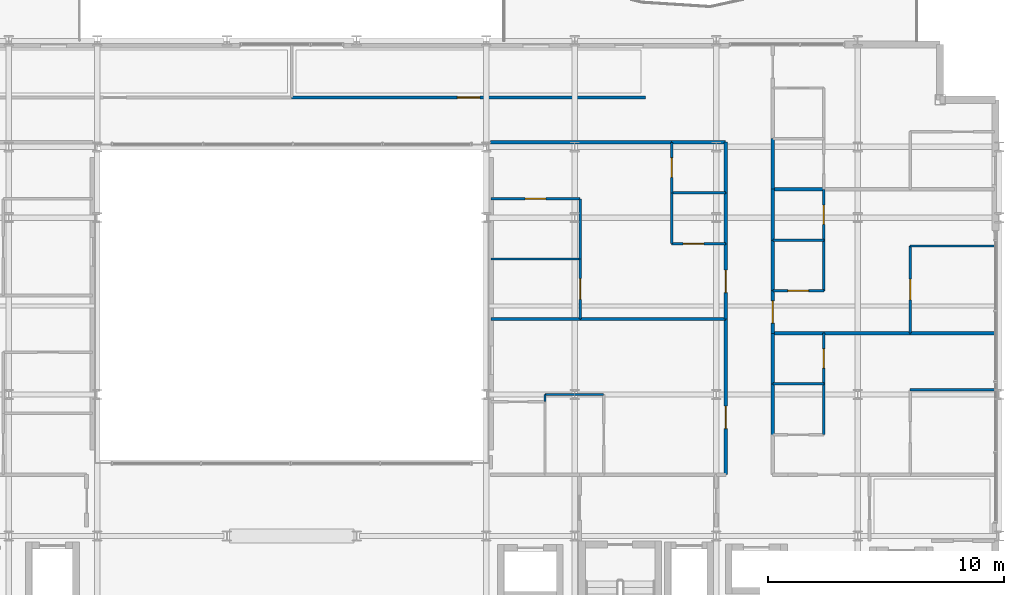
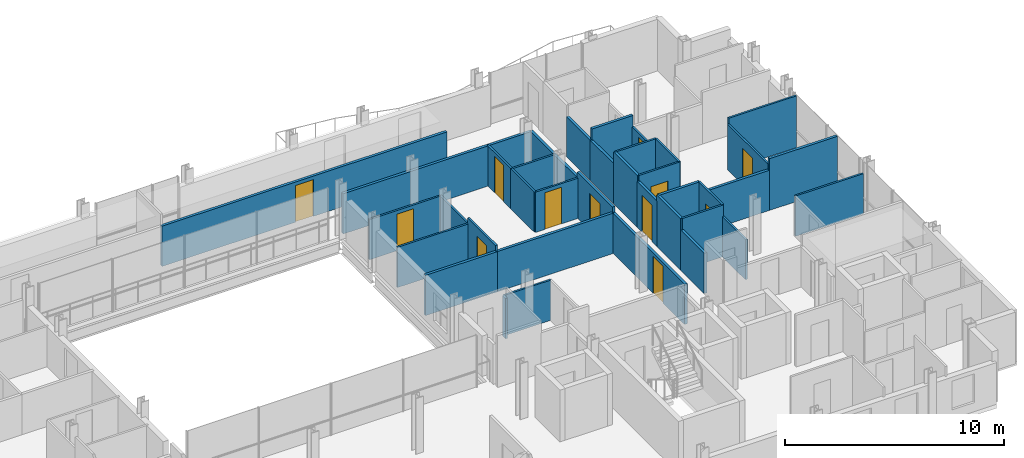
# One storey, part 36 of 41: 39 walls, 12 doors, 12 openings.
"""IFC4 building model written with IfcOpenShell, lengths in metres."""

from ifc_helpers import new_model, si_unit, direction, frame, frame_2d, origin, place, context, subcontext, project, spatial, rectangle, extrude, material, layer, layer_set, type_object, element, fill, save


model = new_model("IFC4")

# Units and contexts
model_context = context("Model", 3, precision=1e-05, world=origin(), true_north=direction((0.0, 1.0)))
body_context = subcontext(model_context, "Body", "Model", "MODEL_VIEW")
ifc_project = project(units=[si_unit("LENGTHUNIT", "METRE"), si_unit("AREAUNIT", "SQUARE_METRE"), si_unit("VOLUMEUNIT", "CUBIC_METRE"), si_unit("PLANEANGLEUNIT", "RADIAN"), si_unit("MASSUNIT", "GRAM", prefix="KILO")], contexts=[model_context])

# Site, building, storey
site_placement = place(None, origin())
site = spatial("IfcSite", under=ifc_project, at=site_placement, CompositionType="ELEMENT")
building_placement = place(site_placement, origin())
building = spatial("IfcBuilding", under=site, at=building_placement, Name="Brevholm Reach", CompositionType="ELEMENT")
storey_placement = place(building_placement, frame((0.0, 0.0, 100.39990234375)))
storey = spatial("IfcBuildingStorey", under=building, at=storey_placement, Name="L29", CompositionType="ELEMENT", Elevation=100.39990234375)

# Walls
ifc_material_1 = material(Name="Moisture-Resistant Acoustic Gypsum Stud Partition 100 mm", Category="gypsum")
ifc_layer_1 = layer(ifc_material_1, 0.10009765625)
ifc_layer_set_1 = layer_set([ifc_layer_1], Name="Moisture-Resistant Acoustic Gypsum Stud Partition 100 mm")
wall_type_1 = type_object("IfcWallType", Name="WAL-PRT-100", PredefinedType="PARTITIONING", material=ifc_layer_set_1)
wall_1_placement = place(storey_placement, frame((40.738037109375, 16.0, 0.0), z_axis=(0.0, 0.0, 1.0), x_axis=(1.0, 0.0, 0.0)))
element("IfcWall", 1, at=wall_1_placement, inside=storey, type_object=wall_type_1, Name="L29 Internal Partition 128", PredefinedType="PARTITIONING", context=body_context, shape_type="SweptSolid", body=[
    extrude(rectangle(XDim=2.487060546875, YDim=0.10009765625, at=frame_2d((1.24365234375, 0.0))), origin(), (0.0, 0.0, 1.0), 2.242919921875),
])
wall_2_placement = place(storey_placement, frame((40.738037109375, 15.7041015625, 0.0), z_axis=(0.0, 0.0, 1.0), x_axis=(0.0, 1.0, 0.0)))
element("IfcWall", 2, at=wall_2_placement, inside=storey, type_object=wall_type_1, Name="L29 Internal Partition 129", PredefinedType="PARTITIONING", context=body_context, shape_type="SweptSolid", body=[
    extrude(rectangle(XDim=0.2958984375, YDim=0.10009765625, at=frame_2d((0.14794921875, 0.0))), origin(), (0.0, 0.0, 1.0), 2.242919921875),
])
wall_3_placement = place(storey_placement, frame((46.112060546875, 24.550048828125, 0.0), z_axis=(0.0, 0.0, 1.0), x_axis=(1.0, 0.0, 0.0)))
element("IfcWall", 3, at=wall_3_placement, inside=storey, type_object=wall_type_1, Name="L29 Internal Partition 132", PredefinedType="PARTITIONING", context=body_context, shape_type="SweptSolid", body=[
    extrude(rectangle(XDim=2.283935546875, YDim=0.10009765625, at=frame_2d((1.14208984375, 0.0))), origin(), (0.0, 0.0, 1.0), 2.242919921875),
])

# Wall, opening, door
wall_4_placement = place(storey_placement, frame((46.112060546875, 24.550048828125, 0.0), z_axis=(0.0, 0.0, 1.0), x_axis=(0.0, 1.0, 0.0)))
wall_4 = element("IfcWall", 4, at=wall_4_placement, inside=storey, type_object=wall_type_1, Name="L29 Internal Partition 133", PredefinedType="PARTITIONING", context=body_context, shape_type="SweptSolid", body=[
    extrude(rectangle(XDim=2.14599609375, YDim=0.10009765625, at=frame_2d((1.072998046875, 0.0))), origin(), (0.0, 0.0, 1.0), 2.242919921875),
])
opening_1_placement = place(wall_4_placement, frame((0.6630859375, 0.0, 0.0)))
opening_1 = element("IfcOpeningElement", 5, at=opening_1_placement, cuts=wall_4, Name="Opening ID-03", PredefinedType="OPENING", context=body_context, shape_type="SweptSolid", body=[
    extrude(rectangle(XDim=0.820068359375, YDim=2.02001953125, at=frame_2d((0.41015625, 1.010009765625))), frame((0.0, 0.06005859375, 0.0), z_axis=(0.0, -1.0, 0.0), x_axis=(1.0, 0.0, 0.0)), (0.0, 0.0, 1.0), 0.1201171875),
])
ifc_material_2 = material(Name="Moisture-Resistant Painted Timber Internal Bathroom Door", Category="wood")
door_type_1 = type_object("IfcDoorType", Name="DOR-BATH-820", OperationType="NOTDEFINED", PredefinedType="DOOR", material=ifc_material_2)
door_1_placement = place(opening_1_placement, origin())
door_1 = element("IfcDoor", 6, at=door_1_placement, inside=storey, type_object=door_type_1, Name="L29 Internal Door 049", OperationType="SINGLE_SWING_RIGHT", OverallHeight=2.02001953125, OverallWidth=0.820068359375, PredefinedType="DOOR", context=body_context, shape_type="SweptSolid", body=[
    extrude(rectangle(XDim=0.820068359375, YDim=2.02001953125, at=frame_2d((0.41015625, 1.010009765625))), frame((0.0, 0.02490234375, 0.0), z_axis=(0.0, -1.0, 0.0), x_axis=(1.0, 0.0, 0.0)), (0.0, 0.0, 1.0), 0.050048828125),
])
fill(opening_1, door_1)

wall_5_placement = place(storey_placement, frame((46.112060546875, 22.39990234375, 0.0), z_axis=(0.0, 0.0, 1.0), x_axis=(1.0, 0.0, 0.0)))
wall_5 = element("IfcWall", 7, at=wall_5_placement, inside=storey, type_object=wall_type_1, Name="L29 Internal Partition 134", PredefinedType="PARTITIONING", context=body_context, shape_type="SweptSolid", body=[
    extrude(rectangle(XDim=2.283935546875, YDim=0.10009765625, at=frame_2d((1.14208984375, 0.0))), origin(), (0.0, 0.0, 1.0), 2.242919921875),
])
opening_2_placement = place(wall_5_placement, frame((0.48193359375, 0.0, 0.0)))
opening_2 = element("IfcOpeningElement", 8, at=opening_2_placement, cuts=wall_5, Name="Opening ID-01", PredefinedType="OPENING", context=body_context, shape_type="SweptSolid", body=[
    extrude(rectangle(XDim=0.8798828125, YDim=2.0400390625, at=frame_2d((0.43994140625, 1.02001953125))), frame((0.0, 0.06005859375, 0.0), z_axis=(0.0, -1.0, 0.0), x_axis=(1.0, 0.0, 0.0)), (0.0, 0.0, 1.0), 0.1201171875),
])
ifc_material_3 = material(Name="Lacquered Ash Solid-Core Acoustic Internal Door", Category="timber")
door_type_2 = type_object("IfcDoorType", Name="DOR-INT-880", OperationType="NOTDEFINED", PredefinedType="DOOR", material=ifc_material_3)
door_2_placement = place(opening_2_placement, origin())
door_2 = element("IfcDoor", 9, at=door_2_placement, inside=storey, type_object=door_type_2, Name="L29 Internal Door 050", OperationType="SINGLE_SWING_LEFT", OverallHeight=2.0400390625, OverallWidth=0.8798828125, PredefinedType="DOOR", context=body_context, shape_type="SweptSolid", body=[
    extrude(rectangle(XDim=0.8798828125, YDim=2.0400390625, at=frame_2d((0.43994140625, 1.02001953125))), frame((0.0, 0.02490234375, 0.0), z_axis=(0.0, -1.0, 0.0), x_axis=(1.0, 0.0, 0.0)), (0.0, 0.0, 1.0), 0.050048828125),
])
fill(opening_2, door_2)

# Walls
wall_6_placement = place(storey_placement, frame((46.112060546875, 22.39990234375, 0.0), z_axis=(0.0, 0.0, 1.0), x_axis=(0.0, 1.0, 0.0)))
element("IfcWall", 10, at=wall_6_placement, inside=storey, type_object=wall_type_1, Name="L29 Internal Partition 135", PredefinedType="PARTITIONING", context=body_context, shape_type="SweptSolid", body=[
    extrude(rectangle(XDim=2.14599609375, YDim=0.10009765625, at=frame_2d((1.072998046875, 0.0))), origin(), (0.0, 0.0, 1.0), 2.242919921875),
])
wall_7_placement = place(storey_placement, frame((38.449951171875, 21.75, 0.0), z_axis=(0.0, 0.0, 1.0), x_axis=(1.0, 0.0, 0.0)))
element("IfcWall", 11, at=wall_7_placement, inside=storey, type_object=wall_type_1, Name="L29 Internal Partition 136", PredefinedType="PARTITIONING", context=body_context, shape_type="SweptSolid", body=[
    extrude(rectangle(XDim=3.781005859375, YDim=0.10009765625, at=frame_2d((1.890625, 0.0))), origin(), (0.0, 0.0, 1.0), 2.242919921875),
])

# Wall, opening, door
wall_8_placement = place(storey_placement, frame((42.23095703125, 19.2041015625, 0.0), z_axis=(0.0, 0.0, 1.0), x_axis=(0.0, 1.0, 0.0)))
wall_8 = element("IfcWall", 12, at=wall_8_placement, inside=storey, type_object=wall_type_1, Name="L29 Internal Partition 137", PredefinedType="PARTITIONING", context=body_context, shape_type="SweptSolid", body=[
    extrude(rectangle(XDim=2.5458984375, YDim=0.10009765625, at=frame_2d((1.27294921875, 0.0))), origin(), (0.0, 0.0, 1.0), 2.5517578125),
])
opening_3_placement = place(wall_8_placement, frame((0.8330078125, 0.0, 0.0)))
opening_3 = element("IfcOpeningElement", 13, at=opening_3_placement, cuts=wall_8, Name="Opening ID-01", PredefinedType="OPENING", context=body_context, shape_type="SweptSolid", body=[
    extrude(rectangle(XDim=0.8798828125, YDim=2.0400390625, at=frame_2d((0.43994140625, 1.02001953125))), frame((0.0, 0.06005859375, 0.0), z_axis=(0.0, -1.0, 0.0), x_axis=(1.0, 0.0, 0.0)), (0.0, 0.0, 1.0), 0.1201171875),
])
door_3_placement = place(opening_3_placement, origin())
door_3 = element("IfcDoor", 14, at=door_3_placement, inside=storey, type_object=door_type_2, Name="L29 Internal Door 051", OperationType="SINGLE_SWING_RIGHT", OverallHeight=2.0400390625, OverallWidth=0.8798828125, PredefinedType="DOOR", context=body_context, shape_type="SweptSolid", body=[
    extrude(rectangle(XDim=0.8798828125, YDim=2.0400390625, at=frame_2d((0.43994140625, 1.02001953125))), frame((0.0, 0.02490234375, 0.0), z_axis=(0.0, -1.0, 0.0), x_axis=(1.0, 0.0, 0.0)), (0.0, 0.0, 1.0), 0.050048828125),
])
fill(opening_3, door_3)

# Wall
wall_9_placement = place(storey_placement, frame((42.23095703125, 21.75390625, 0.0), z_axis=(0.0, 0.0, 1.0), x_axis=(0.0, 1.0, 0.0)))
element("IfcWall", 15, at=wall_9_placement, inside=storey, type_object=wall_type_1, Name="L29 Internal Partition 138", PredefinedType="PARTITIONING", context=body_context, shape_type="SweptSolid", body=[
    extrude(rectangle(XDim=2.546142578125, YDim=0.10009765625, at=frame_2d((1.27294921875, 0.0))), origin(), (0.0, 0.0, 1.0), 2.242919921875),
])

# Wall, opening, door
wall_10_placement = place(storey_placement, frame((38.449951171875, 24.300048828125, 0.0), z_axis=(0.0, 0.0, 1.0), x_axis=(1.0, 0.0, 0.0)))
wall_10 = element("IfcWall", 16, at=wall_10_placement, inside=storey, type_object=wall_type_1, Name="L29 Internal Partition 139", PredefinedType="PARTITIONING", context=body_context, shape_type="SweptSolid", body=[
    extrude(rectangle(XDim=3.781005859375, YDim=0.10009765625, at=frame_2d((1.890625, 0.0))), origin(), (0.0, 0.0, 1.0), 2.242919921875),
])
opening_4_placement = place(wall_10_placement, frame((1.450439453125, 0.0, 0.0)))
opening_4 = element("IfcOpeningElement", 17, at=opening_4_placement, cuts=wall_10, Name="Opening ID-01", PredefinedType="OPENING", context=body_context, shape_type="SweptSolid", body=[
    extrude(rectangle(XDim=0.8798828125, YDim=2.0400390625, at=frame_2d((0.43994140625, 1.02001953125))), frame((0.0, 0.06005859375, 0.0), z_axis=(0.0, -1.0, 0.0), x_axis=(1.0, 0.0, 0.0)), (0.0, 0.0, 1.0), 0.1201171875),
])
door_4_placement = place(opening_4_placement, origin())
door_4 = element("IfcDoor", 18, at=door_4_placement, inside=storey, type_object=door_type_2, Name="L29 Internal Door 052", OperationType="SINGLE_SWING_LEFT", OverallHeight=2.0400390625, OverallWidth=0.8798828125, PredefinedType="DOOR", context=body_context, shape_type="SweptSolid", body=[
    extrude(rectangle(XDim=0.8798828125, YDim=2.0400390625, at=frame_2d((0.43994140625, 1.02001953125))), frame((0.0, 0.02490234375, 0.0), z_axis=(0.0, -1.0, 0.0), x_axis=(1.0, 0.0, 0.0)), (0.0, 0.0, 1.0), 0.050048828125),
])
fill(opening_4, door_4)

# Wall
wall_11_placement = place(storey_placement, frame((50.404052734375, 16.449951171875, 0.0), z_axis=(0.0, 0.0, 1.0), x_axis=(1.0, 0.0, 0.0)))
element("IfcWall", 19, at=wall_11_placement, inside=storey, type_object=wall_type_1, Name="L29 Internal Partition 140", PredefinedType="PARTITIONING", context=body_context, shape_type="SweptSolid", body=[
    extrude(rectangle(XDim=2.157958984375, YDim=0.10009765625, at=frame_2d((1.0791015625, 0.0))), origin(), (0.0, 0.0, 1.0), 2.880126953125),
])

# Wall, opening, door
wall_12_placement = place(storey_placement, frame((52.56201171875, 16.449951171875, 0.0), z_axis=(0.0, 0.0, 1.0), x_axis=(0.0, 1.0, 0.0)))
wall_12 = element("IfcWall", 20, at=wall_12_placement, inside=storey, type_object=wall_type_1, Name="L29 Internal Partition 141", PredefinedType="PARTITIONING", context=body_context, shape_type="SweptSolid", body=[
    extrude(rectangle(XDim=2.150146484375, YDim=0.10009765625, at=frame_2d((1.0751953125, 0.0))), origin(), (0.0, 0.0, 1.0), 2.880126953125),
])
opening_5_placement = place(wall_12_placement, frame((0.6650390625, 0.0, 0.0)))
opening_5 = element("IfcOpeningElement", 21, at=opening_5_placement, cuts=wall_12, Name="Opening ID-03", PredefinedType="OPENING", context=body_context, shape_type="SweptSolid", body=[
    extrude(rectangle(XDim=0.820068359375, YDim=2.02001953125, at=frame_2d((0.41015625, 1.010009765625))), frame((0.0, 0.06005859375, 0.0), z_axis=(0.0, -1.0, 0.0), x_axis=(1.0, 0.0, 0.0)), (0.0, 0.0, 1.0), 0.1201171875),
])
door_5_placement = place(opening_5_placement, origin())
door_5 = element("IfcDoor", 22, at=door_5_placement, inside=storey, type_object=door_type_1, Name="L29 Internal Door 053", OperationType="SINGLE_SWING_RIGHT", OverallHeight=2.02001953125, OverallWidth=0.820068359375, PredefinedType="DOOR", context=body_context, shape_type="SweptSolid", body=[
    extrude(rectangle(XDim=0.820068359375, YDim=2.02001953125, at=frame_2d((0.41015625, 1.010009765625))), frame((0.0, 0.02490234375, 0.0), z_axis=(0.0, -1.0, 0.0), x_axis=(1.0, 0.0, 0.0)), (0.0, 0.0, 1.0), 0.050048828125),
])
fill(opening_5, door_5)

# Walls
wall_13_placement = place(storey_placement, frame((52.56201171875, 14.300048828125, 0.0), z_axis=(0.0, 0.0, 1.0), x_axis=(0.0, 1.0, 0.0)))
element("IfcWall", 23, at=wall_13_placement, inside=storey, type_object=wall_type_1, Name="L29 Internal Partition 144", PredefinedType="PARTITIONING", context=body_context, shape_type="SweptSolid", body=[
    extrude(rectangle(XDim=2.14599609375, YDim=0.10009765625, at=frame_2d((1.072998046875, 0.0))), origin(), (0.0, 0.0, 1.0), 2.242919921875),
])
wall_14_placement = place(storey_placement, frame((56.22802734375, 16.199951171875, 0.0), z_axis=(0.0, 0.0, 1.0), x_axis=(1.0, 0.0, 0.0)))
element("IfcWall", 24, at=wall_14_placement, inside=storey, type_object=wall_type_1, Name="L29 Internal Partition 145", PredefinedType="PARTITIONING", context=body_context, shape_type="SweptSolid", body=[
    extrude(rectangle(XDim=3.572021484375, YDim=0.10009765625, at=frame_2d((1.7861328125, 0.0))), origin(), (0.0, 0.0, 1.0), 2.242919921875),
])
wall_15_placement = place(storey_placement, frame((50.404052734375, 22.550048828125, 0.0), z_axis=(0.0, 0.0, 1.0), x_axis=(1.0, 0.0, 0.0)))
element("IfcWall", 25, at=wall_15_placement, inside=storey, type_object=wall_type_1, Name="L29 Internal Partition 149", PredefinedType="PARTITIONING", context=body_context, shape_type="SweptSolid", body=[
    extrude(rectangle(XDim=2.157958984375, YDim=0.10009765625, at=frame_2d((1.0791015625, 0.0))), origin(), (0.0, 0.0, 1.0), 2.880126953125),
])

# Wall, opening, door
wall_16_placement = place(storey_placement, frame((52.56201171875, 22.550048828125, 0.0), z_axis=(0.0, 0.0, 1.0), x_axis=(0.0, 1.0, 0.0)))
wall_16 = element("IfcWall", 26, at=wall_16_placement, inside=storey, type_object=wall_type_1, Name="L29 Internal Partition 150", PredefinedType="PARTITIONING", context=body_context, shape_type="SweptSolid", body=[
    extrude(rectangle(XDim=2.14990234375, YDim=0.10009765625, at=frame_2d((1.074951171875, 0.0))), origin(), (0.0, 0.0, 1.0), 2.242919921875),
])
opening_6_placement = place(wall_16_placement, frame((0.6650390625, 0.0, 0.0)))
opening_6 = element("IfcOpeningElement", 27, at=opening_6_placement, cuts=wall_16, Name="Opening ID-03", PredefinedType="OPENING", context=body_context, shape_type="SweptSolid", body=[
    extrude(rectangle(XDim=0.820068359375, YDim=2.02001953125, at=frame_2d((0.41015625, 1.010009765625))), frame((0.0, 0.06005859375, 0.0), z_axis=(0.0, -1.0, 0.0), x_axis=(1.0, 0.0, 0.0)), (0.0, 0.0, 1.0), 0.1201171875),
])
door_6_placement = place(opening_6_placement, origin())
door_6 = element("IfcDoor", 28, at=door_6_placement, inside=storey, type_object=door_type_1, Name="L29 Internal Door 056", OperationType="SINGLE_SWING_LEFT", OverallHeight=2.02001953125, OverallWidth=0.820068359375, PredefinedType="DOOR", context=body_context, shape_type="SweptSolid", body=[
    extrude(rectangle(XDim=0.820068359375, YDim=2.02001953125, at=frame_2d((0.41015625, 1.010009765625))), frame((0.0, 0.02490234375, 0.0), z_axis=(0.0, -1.0, 0.0), x_axis=(1.0, 0.0, 0.0)), (0.0, 0.0, 1.0), 0.050048828125),
])
fill(opening_6, door_6)

wall_17_placement = place(storey_placement, frame((50.404052734375, 20.39990234375, 0.0), z_axis=(0.0, 0.0, 1.0), x_axis=(1.0, 0.0, 0.0)))
wall_17 = element("IfcWall", 29, at=wall_17_placement, inside=storey, type_object=wall_type_1, Name="L29 Internal Partition 152", PredefinedType="PARTITIONING", context=body_context, shape_type="SweptSolid", body=[
    extrude(rectangle(XDim=2.157958984375, YDim=0.10009765625, at=frame_2d((1.0791015625, 0.0))), origin(), (0.0, 0.0, 1.0), 2.880126953125),
])
opening_7_placement = place(wall_17_placement, frame((0.638916015625, 0.0, 0.0)))
opening_7 = element("IfcOpeningElement", 30, at=opening_7_placement, cuts=wall_17, Name="Opening ID-01", PredefinedType="OPENING", context=body_context, shape_type="SweptSolid", body=[
    extrude(rectangle(XDim=0.8798828125, YDim=2.0400390625, at=frame_2d((0.43994140625, 1.02001953125))), frame((0.0, 0.06005859375, 0.0), z_axis=(0.0, -1.0, 0.0), x_axis=(1.0, 0.0, 0.0)), (0.0, 0.0, 1.0), 0.1201171875),
])
door_7_placement = place(opening_7_placement, origin())
door_7 = element("IfcDoor", 31, at=door_7_placement, inside=storey, type_object=door_type_2, Name="L29 Internal Door 057", OperationType="SINGLE_SWING_RIGHT", OverallHeight=2.0400390625, OverallWidth=0.8798828125, PredefinedType="DOOR", context=body_context, shape_type="SweptSolid", body=[
    extrude(rectangle(XDim=0.8798828125, YDim=2.0400390625, at=frame_2d((0.43994140625, 1.02001953125))), frame((0.0, 0.02490234375, 0.0), z_axis=(0.0, -1.0, 0.0), x_axis=(1.0, 0.0, 0.0)), (0.0, 0.0, 1.0), 0.050048828125),
])
fill(opening_7, door_7)

# Walls
wall_18_placement = place(storey_placement, frame((52.56201171875, 20.39990234375, 0.0), z_axis=(0.0, 0.0, 1.0), x_axis=(0.0, 1.0, 0.0)))
element("IfcWall", 32, at=wall_18_placement, inside=storey, type_object=wall_type_1, Name="L29 Internal Partition 153", PredefinedType="PARTITIONING", context=body_context, shape_type="SweptSolid", body=[
    extrude(rectangle(XDim=2.14599609375, YDim=0.10009765625, at=frame_2d((1.072998046875, 0.0))), origin(), (0.0, 0.0, 1.0), 2.880126953125),
])
wall_19_placement = place(storey_placement, frame((56.22802734375, 22.300048828125, 0.0), z_axis=(0.0, 0.0, 1.0), x_axis=(1.0, 0.0, 0.0)))
element("IfcWall", 33, at=wall_19_placement, inside=storey, type_object=wall_type_1, Name="L29 Internal Partition 154", PredefinedType="PARTITIONING", context=body_context, shape_type="SweptSolid", body=[
    extrude(rectangle(XDim=3.572021484375, YDim=0.10009765625, at=frame_2d((1.7861328125, 0.0))), origin(), (0.0, 0.0, 1.0), 2.880126953125),
])

# Wall, opening, door
wall_20_placement = place(storey_placement, frame((56.22802734375, 18.60400390625, 0.0), z_axis=(0.0, 0.0, 1.0), x_axis=(0.0, 1.0, 0.0)))
wall_20 = element("IfcWall", 34, at=wall_20_placement, inside=storey, type_object=wall_type_1, Name="L29 Internal Partition 155", PredefinedType="PARTITIONING", context=body_context, shape_type="SweptSolid", body=[
    extrude(rectangle(XDim=3.696044921875, YDim=0.10009765625, at=frame_2d((1.84814453125, 0.0))), origin(), (0.0, 0.0, 1.0), 2.5517578125),
])
opening_8_placement = place(wall_20_placement, frame((1.407958984375, 0.0, 0.0)))
opening_8 = element("IfcOpeningElement", 35, at=opening_8_placement, cuts=wall_20, Name="Opening ID-01", PredefinedType="OPENING", context=body_context, shape_type="SweptSolid", body=[
    extrude(rectangle(XDim=0.8798828125, YDim=2.0400390625, at=frame_2d((0.43994140625, 1.02001953125))), frame((0.0, 0.06005859375, 0.0), z_axis=(0.0, -1.0, 0.0), x_axis=(1.0, 0.0, 0.0)), (0.0, 0.0, 1.0), 0.1201171875),
])
door_8_placement = place(opening_8_placement, origin())
door_8 = element("IfcDoor", 36, at=door_8_placement, inside=storey, type_object=door_type_2, Name="L29 Internal Door 058", OperationType="SINGLE_SWING_LEFT", OverallHeight=2.0400390625, OverallWidth=0.8798828125, PredefinedType="DOOR", context=body_context, shape_type="SweptSolid", body=[
    extrude(rectangle(XDim=0.8798828125, YDim=2.0400390625, at=frame_2d((0.43994140625, 1.02001953125))), frame((0.0, 0.02490234375, 0.0), z_axis=(0.0, -1.0, 0.0), x_axis=(1.0, 0.0, 0.0)), (0.0, 0.0, 1.0), 0.050048828125),
])
fill(opening_8, door_8)

ifc_material_4 = material(Name="Twin-Stud Acoustic Fire-Rated Gypsum Partition 140 mm", Category="gypsum")
ifc_layer_2 = layer(ifc_material_4, 0.139892578125)
ifc_layer_set_2 = layer_set([ifc_layer_2], Name="Twin-Stud Acoustic Fire-Rated Gypsum Partition 140 mm")
wall_type_2 = type_object("IfcWallType", Name="WAL-PRT-140", PredefinedType="PARTITIONING", material=ifc_layer_set_2)
wall_21_placement = place(storey_placement, frame((48.39990234375, 12.60400390625, 0.0), z_axis=(0.0, 0.0, 1.0), x_axis=(0.0, 1.0, 0.0)))
wall_21 = element("IfcWall", 37, at=wall_21_placement, inside=storey, type_object=wall_type_2, Name="L29 Internal Partition 044", PredefinedType="PARTITIONING", context=body_context, shape_type="SweptSolid", body=[
    extrude(rectangle(XDim=6.607177734375, YDim=0.139892578125, at=frame_2d((3.3037109375, 0.0))), origin(), (0.0, 0.0, 1.0), 2.242919921875),
])
opening_9_placement = place(wall_21_placement, frame((1.94873046875, 0.0, 0.0)))
opening_9 = element("IfcOpeningElement", 38, at=opening_9_placement, cuts=wall_21, Name="Opening ID-30", PredefinedType="OPENING", context=body_context, shape_type="SweptSolid", body=[
    extrude(rectangle(XDim=0.949951171875, YDim=2.050048828125, at=frame_2d((0.47509765625, 1.02490234375))), frame((0.0, 0.079833984375, 0.0), z_axis=(0.0, -1.0, 0.0), x_axis=(1.0, 0.0, 0.0)), (0.0, 0.0, 1.0), 0.159912109375),
])
ifc_material_5 = material(Name="European Oak Veneered Solid-Core Fire Entrance Door", Category="timber")
door_type_3 = type_object("IfcDoorType", Name="DOR-FLT-FD30S", OperationType="NOTDEFINED", PredefinedType="DOOR", material=ifc_material_5)
door_9_placement = place(opening_9_placement, origin())
door_9 = element("IfcDoor", 39, at=door_9_placement, inside=storey, type_object=door_type_3, Name="L29 Internal Door 019", OperationType="SINGLE_SWING_RIGHT", OverallHeight=2.050048828125, OverallWidth=0.949951171875, PredefinedType="DOOR", context=body_context, shape_type="SweptSolid", body=[
    extrude(rectangle(XDim=0.949951171875, YDim=2.050048828125, at=frame_2d((0.47509765625, 1.02490234375))), frame((0.0, 0.02490234375, 0.0), z_axis=(0.0, -1.0, 0.0), x_axis=(1.0, 0.0, 0.0)), (0.0, 0.0, 1.0), 0.050048828125),
])
fill(opening_9, door_9)

# Walls
wall_22_placement = place(storey_placement, frame((48.39990234375, 24.538818359375, 0.0), z_axis=(0.0, 0.0, 1.0), x_axis=(0.0, 1.0, 0.0)))
element("IfcWall", 40, at=wall_22_placement, inside=storey, type_object=wall_type_2, Name="L29 Internal Partition 045", PredefinedType="PARTITIONING", context=body_context, shape_type="SweptSolid", body=[
    extrude(rectangle(XDim=2.16845703125, YDim=0.139892578125, at=frame_2d((1.084228515625, 0.0))), origin(), (0.0, 0.0, 1.0), 2.242919921875),
])
wall_23_placement = place(storey_placement, frame((48.39990234375, 22.388671875, 0.0), z_axis=(0.0, 0.0, 1.0), x_axis=(0.0, 1.0, 0.0)))
element("IfcWall", 41, at=wall_23_placement, inside=storey, type_object=wall_type_2, Name="L29 Internal Partition 046", PredefinedType="PARTITIONING", context=body_context, shape_type="SweptSolid", body=[
    extrude(rectangle(XDim=2.168701171875, YDim=0.139892578125, at=frame_2d((1.08447265625, 0.0))), origin(), (0.0, 0.0, 1.0), 2.242919921875),
])

# Wall, opening, door
wall_24_placement = place(storey_placement, frame((48.39990234375, 19.192626953125, 0.0), z_axis=(0.0, 0.0, 1.0), x_axis=(0.0, 1.0, 0.0)))
wall_24 = element("IfcWall", 42, at=wall_24_placement, inside=storey, type_object=wall_type_2, Name="L29 Internal Partition 047", PredefinedType="PARTITIONING", context=body_context, shape_type="SweptSolid", body=[
    extrude(rectangle(XDim=3.214599609375, YDim=0.139892578125, at=frame_2d((1.607421875, 0.0))), origin(), (0.0, 0.0, 1.0), 2.5517578125),
])
opening_10_placement = place(wall_24_placement, frame((1.13232421875, 0.0, 0.0)))
opening_10 = element("IfcOpeningElement", 43, at=opening_10_placement, cuts=wall_24, Name="Opening ID-30", PredefinedType="OPENING", context=body_context, shape_type="SweptSolid", body=[
    extrude(rectangle(XDim=0.949951171875, YDim=2.050048828125, at=frame_2d((0.47509765625, 1.02490234375))), frame((0.0, 0.079833984375, 0.0), z_axis=(0.0, -1.0, 0.0), x_axis=(1.0, 0.0, 0.0)), (0.0, 0.0, 1.0), 0.159912109375),
])
door_10_placement = place(opening_10_placement, origin())
door_10 = element("IfcDoor", 44, at=door_10_placement, inside=storey, type_object=door_type_3, Name="L29 Internal Door 020", OperationType="SINGLE_SWING_LEFT", OverallHeight=2.050048828125, OverallWidth=0.949951171875, PredefinedType="DOOR", context=body_context, shape_type="SweptSolid", body=[
    extrude(rectangle(XDim=0.949951171875, YDim=2.050048828125, at=frame_2d((0.47509765625, 1.02490234375))), frame((0.0, 0.02490234375, 0.0), z_axis=(0.0, -1.0, 0.0), x_axis=(1.0, 0.0, 0.0)), (0.0, 0.0, 1.0), 0.050048828125),
])
fill(opening_10, door_10)

# Walls
wall_25_placement = place(storey_placement, frame((50.39990234375, 16.438720703125, 0.0), z_axis=(0.0, 0.0, 1.0), x_axis=(0.0, 1.0, 0.0)))
element("IfcWall", 45, at=wall_25_placement, inside=storey, type_object=wall_type_2, Name="L29 Internal Partition 048", PredefinedType="PARTITIONING", context=body_context, shape_type="SweptSolid", body=[
    extrude(rectangle(XDim=2.172607421875, YDim=0.139892578125, at=frame_2d((1.08642578125, 0.0))), origin(), (0.0, 0.0, 1.0), 2.880126953125),
])
wall_26_placement = place(storey_placement, frame((50.39990234375, 14.288818359375, 0.0), z_axis=(0.0, 0.0, 1.0), x_axis=(0.0, 1.0, 0.0)))
element("IfcWall", 46, at=wall_26_placement, inside=storey, type_object=wall_type_2, Name="L29 Internal Partition 049", PredefinedType="PARTITIONING", context=body_context, shape_type="SweptSolid", body=[
    extrude(rectangle(XDim=2.16845703125, YDim=0.139892578125, at=frame_2d((1.084228515625, 0.0))), origin(), (0.0, 0.0, 1.0), 2.242919921875),
])
wall_27_placement = place(storey_placement, frame((50.39990234375, 22.538818359375, 0.0), z_axis=(0.0, 0.0, 1.0), x_axis=(0.0, 1.0, 0.0)))
element("IfcWall", 47, at=wall_27_placement, inside=storey, type_object=wall_type_2, Name="L29 Internal Partition 051", PredefinedType="PARTITIONING", context=body_context, shape_type="SweptSolid", body=[
    extrude(rectangle(XDim=2.17236328125, YDim=0.139892578125, at=frame_2d((1.086181640625, 0.0))), origin(), (0.0, 0.0, 1.0), 2.242919921875),
])
wall_28_placement = place(storey_placement, frame((50.39990234375, 20.388671875, 0.0), z_axis=(0.0, 0.0, 1.0), x_axis=(0.0, 1.0, 0.0)))
element("IfcWall", 48, at=wall_28_placement, inside=storey, type_object=wall_type_2, Name="L29 Internal Partition 052", PredefinedType="PARTITIONING", context=body_context, shape_type="SweptSolid", body=[
    extrude(rectangle(XDim=2.168701171875, YDim=0.139892578125, at=frame_2d((1.08447265625, 0.0))), origin(), (0.0, 0.0, 1.0), 2.880126953125),
])

# Wall, opening, door
wall_29_placement = place(storey_placement, frame((50.39990234375, 18.5927734375, 0.0), z_axis=(0.0, 0.0, 1.0), x_axis=(0.0, 1.0, 0.0)))
wall_29 = element("IfcWall", 49, at=wall_29_placement, inside=storey, type_object=wall_type_2, Name="L29 Internal Partition 053", PredefinedType="PARTITIONING", context=body_context, shape_type="SweptSolid", body=[
    extrude(rectangle(XDim=1.814453125, YDim=0.139892578125, at=frame_2d((0.9072265625, 0.0))), origin(), (0.0, 0.0, 1.0), 2.5517578125),
])
opening_11_placement = place(wall_29_placement, frame((0.432373046875, 0.0, 0.0)))
opening_11 = element("IfcOpeningElement", 50, at=opening_11_placement, cuts=wall_29, Name="Opening ID-30", PredefinedType="OPENING", context=body_context, shape_type="SweptSolid", body=[
    extrude(rectangle(XDim=0.949951171875, YDim=2.050048828125, at=frame_2d((0.47509765625, 1.02490234375))), frame((0.0, 0.079833984375, 0.0), z_axis=(0.0, -1.0, 0.0), x_axis=(1.0, 0.0, 0.0)), (0.0, 0.0, 1.0), 0.159912109375),
])
door_11_placement = place(opening_11_placement, origin())
door_11 = element("IfcDoor", 51, at=door_11_placement, inside=storey, type_object=door_type_3, Name="L29 Internal Door 021", OperationType="SINGLE_SWING_RIGHT", OverallHeight=2.050048828125, OverallWidth=0.949951171875, PredefinedType="DOOR", context=body_context, shape_type="SweptSolid", body=[
    extrude(rectangle(XDim=0.949951171875, YDim=2.050048828125, at=frame_2d((0.47509765625, 1.02490234375))), frame((0.0, 0.02490234375, 0.0), z_axis=(0.0, -1.0, 0.0), x_axis=(1.0, 0.0, 0.0)), (0.0, 0.0, 1.0), 0.050048828125),
])
fill(opening_11, door_11)

# Walls
wall_30_placement = place(storey_placement, frame((50.39990234375, 24.692626953125, 0.0), z_axis=(0.0, 0.0, 1.0), x_axis=(0.0, 1.0, 0.0)))
element("IfcWall", 52, at=wall_30_placement, inside=storey, type_object=wall_type_2, Name="L29 Internal Partition 054", PredefinedType="PARTITIONING", context=body_context, shape_type="SweptSolid", body=[
    extrude(rectangle(XDim=2.168701171875, YDim=0.139892578125, at=frame_2d((1.08447265625, 0.0))), origin(), (0.0, 0.0, 1.0), 2.242919921875),
])
wall_31_placement = place(storey_placement, frame((46.1005859375, 26.699951171875, 0.0), z_axis=(0.0, 0.0, 1.0), x_axis=(1.0, 0.0, 0.0)))
element("IfcWall", 53, at=wall_31_placement, inside=storey, type_object=wall_type_2, Name="L29 Internal Partition 059", PredefinedType="PARTITIONING", context=body_context, shape_type="SweptSolid", body=[
    extrude(rectangle(XDim=2.29541015625, YDim=0.139892578125, at=frame_2d((1.147705078125, 0.0))), origin(), (0.0, 0.0, 1.0), 2.242919921875),
])
wall_32_placement = place(storey_placement, frame((38.438720703125, 26.699951171875, 0.0), z_axis=(0.0, 0.0, 1.0), x_axis=(1.0, 0.0, 0.0)))
element("IfcWall", 54, at=wall_32_placement, inside=storey, type_object=wall_type_2, Name="L29 Internal Partition 060", PredefinedType="PARTITIONING", context=body_context, shape_type="SweptSolid", body=[
    extrude(rectangle(XDim=7.6806640625, YDim=0.139892578125, at=frame_2d((3.84033203125, 0.0))), origin(), (0.0, 0.0, 1.0), 2.242919921875),
])

# Wall, opening, door
wall_33_placement = place(storey_placement, frame((29.99267578125, 28.60009765625, 0.0), z_axis=(0.0, 0.0, 1.0), x_axis=(1.0, 0.0, 0.0)))
wall_33 = element("IfcWall", 55, at=wall_33_placement, inside=storey, type_object=wall_type_2, Name="L29 Internal Partition 062", PredefinedType="PARTITIONING", context=body_context, shape_type="SweptSolid", body=[
    extrude(rectangle(XDim=15.0185546875, YDim=0.139892578125, at=frame_2d((7.50927734375, 0.0))), origin(), (0.0, 0.0, 1.0), 2.242919921875),
])
opening_12_placement = place(wall_33_placement, frame((7.0341796875, 0.0, 0.0)))
opening_12 = element("IfcOpeningElement", 56, at=opening_12_placement, cuts=wall_33, Name="Opening ID-30", PredefinedType="OPENING", context=body_context, shape_type="SweptSolid", body=[
    extrude(rectangle(XDim=0.949951171875, YDim=2.050048828125, at=frame_2d((0.47509765625, 1.02490234375))), frame((0.0, 0.079833984375, 0.0), z_axis=(0.0, -1.0, 0.0), x_axis=(1.0, 0.0, 0.0)), (0.0, 0.0, 1.0), 0.159912109375),
])
door_12_placement = place(opening_12_placement, origin())
door_12 = element("IfcDoor", 57, at=door_12_placement, inside=storey, type_object=door_type_3, Name="L29 Internal Door 024", OperationType="SINGLE_SWING_LEFT", OverallHeight=2.050048828125, OverallWidth=0.949951171875, PredefinedType="DOOR", context=body_context, shape_type="SweptSolid", body=[
    extrude(rectangle(XDim=0.949951171875, YDim=2.050048828125, at=frame_2d((0.47509765625, 1.02490234375))), frame((0.0, 0.02490234375, 0.0), z_axis=(0.0, -1.0, 0.0), x_axis=(1.0, 0.0, 0.0)), (0.0, 0.0, 1.0), 0.050048828125),
])
fill(opening_12, door_12)

# Walls
wall_34_placement = place(storey_placement, frame((38.449951171875, 19.199951171875, 0.0), z_axis=(0.0, 0.0, 1.0), x_axis=(1.0, 0.0, 0.0)))
element("IfcWall", 58, at=wall_34_placement, inside=storey, type_object=wall_type_2, Name="L29 Internal Partition 130", PredefinedType="PARTITIONING", context=body_context, shape_type="SweptSolid", body=[
    extrude(rectangle(XDim=3.792236328125, YDim=0.139892578125, at=frame_2d((1.89599609375, 0.0))), origin(), (0.0, 0.0, 1.0), 2.242919921875),
])
wall_35_placement = place(storey_placement, frame((42.2236328125, 19.199951171875, 0.0), z_axis=(0.0, 0.0, 1.0), x_axis=(1.0, 0.0, 0.0)))
element("IfcWall", 59, at=wall_35_placement, inside=storey, type_object=wall_type_2, Name="L29 Internal Partition 131", PredefinedType="PARTITIONING", context=body_context, shape_type="SweptSolid", body=[
    extrude(rectangle(XDim=6.17236328125, YDim=0.139892578125, at=frame_2d((3.086181640625, 0.0))), origin(), (0.0, 0.0, 1.0), 2.242919921875),
])
wall_36_placement = place(storey_placement, frame((50.404052734375, 18.60009765625, 0.0), z_axis=(0.0, 0.0, 1.0), x_axis=(1.0, 0.0, 0.0)))
element("IfcWall", 60, at=wall_36_placement, inside=storey, type_object=wall_type_2, Name="L29 Internal Partition 142", PredefinedType="PARTITIONING", context=body_context, shape_type="SweptSolid", body=[
    extrude(rectangle(XDim=2.157958984375, YDim=0.139892578125, at=frame_2d((1.0791015625, 0.0))), origin(), (0.0, 0.0, 1.0), 2.880126953125),
])
wall_37_placement = place(storey_placement, frame((56.216796875, 18.60009765625, 0.0), z_axis=(0.0, 0.0, 1.0), x_axis=(1.0, 0.0, 0.0)))
element("IfcWall", 61, at=wall_37_placement, inside=storey, type_object=wall_type_2, Name="L29 Internal Partition 147", PredefinedType="PARTITIONING", context=body_context, shape_type="SweptSolid", body=[
    extrude(rectangle(XDim=3.583251953125, YDim=0.139892578125, at=frame_2d((1.79150390625, 0.0))), origin(), (0.0, 0.0, 1.0), 2.880126953125),
])
wall_38_placement = place(storey_placement, frame((52.56591796875, 18.60009765625, 0.0), z_axis=(0.0, 0.0, 1.0), x_axis=(1.0, 0.0, 0.0)))
element("IfcWall", 62, at=wall_38_placement, inside=storey, type_object=wall_type_2, Name="L29 Internal Partition 148", PredefinedType="PARTITIONING", context=body_context, shape_type="SweptSolid", body=[
    extrude(rectangle(XDim=3.66943359375, YDim=0.139892578125, at=frame_2d((1.834716796875, 0.0))), origin(), (0.0, 0.0, 1.0), 2.242919921875),
])
wall_39_placement = place(storey_placement, frame((50.404052734375, 24.699951171875, 0.0), z_axis=(0.0, 0.0, 1.0), x_axis=(1.0, 0.0, 0.0)))
element("IfcWall", 63, at=wall_39_placement, inside=storey, type_object=wall_type_2, Name="L29 Internal Partition 151", PredefinedType="PARTITIONING", context=body_context, shape_type="SweptSolid", body=[
    extrude(rectangle(XDim=2.157958984375, YDim=0.139892578125, at=frame_2d((1.0791015625, 0.0))), origin(), (0.0, 0.0, 1.0), 2.880126953125),
])

save(model, "model.ifc")
